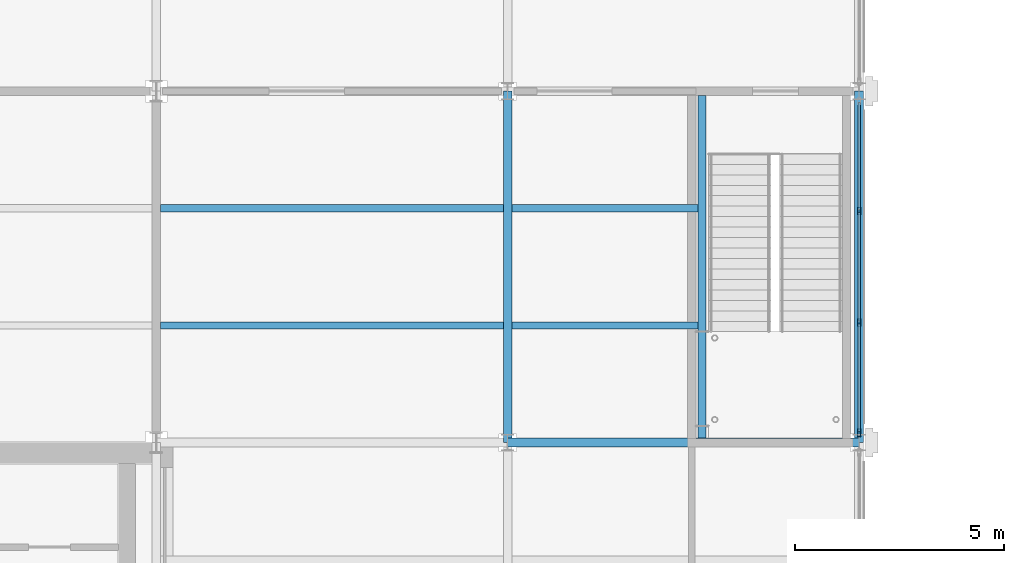
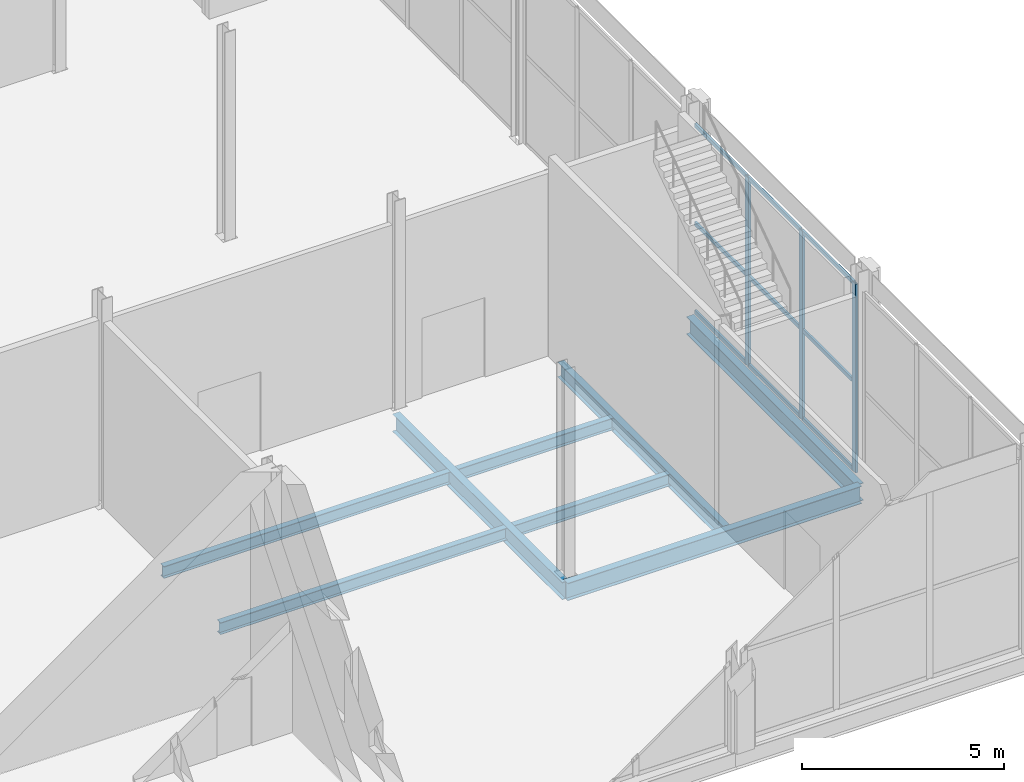
# One storey, part 32 of 77: 12 members, 8 beams, 1 element without a shape of its own.
"""IFC4 building model written with IfcOpenShell, lengths in metres."""

from ifc_helpers import new_model, si_unit, direction, frame, origin, origin_2d, place, context, subcontext, project, spatial, hollow_rectangle, i_section, extrude, material, material_profile, profile_set, type_object, element, aggregate, save


model = new_model("IFC4")

# Units and contexts
model_context = context("Model", 3, precision=1e-05, world=origin(), true_north=direction((0.0, 1.0)))
body_context = subcontext(model_context, "Body", "Model", "MODEL_VIEW")
ifc_project = project(units=[si_unit("LENGTHUNIT", "METRE"), si_unit("AREAUNIT", "SQUARE_METRE"), si_unit("VOLUMEUNIT", "CUBIC_METRE"), si_unit("PLANEANGLEUNIT", "RADIAN"), si_unit("MASSUNIT", "GRAM", prefix="KILO")], contexts=[model_context])

# Site, building, storey
site_placement = place(None, origin())
site = spatial("IfcSite", under=ifc_project, at=site_placement, CompositionType="ELEMENT")
building_placement = place(site_placement, origin())
building = spatial("IfcBuilding", under=site, at=building_placement, Name="Catenary Quay Ferry Terminal", CompositionType="ELEMENT")
storey_placement = place(building_placement, frame((0.0, 0.0, 10.800048828125)))
storey = spatial("IfcBuildingStorey", under=building, at=storey_placement, Name="L02", CompositionType="ELEMENT", Elevation=10.800048828125)

# Beams
ifc_material_1 = material(Name="Steel S355", Category="steel")
ifc_material_profile_1 = material_profile(ifc_material_1, i_section(OverallWidth=0.18994140625, OverallDepth=0.453369140625, WebThickness=0.008544921875, FlangeThickness=0.0126953125, at=origin_2d()), Name="UB 457x191x67")
ifc_profile_set_1 = profile_set([ifc_material_profile_1], Name="Steel S355")
beam_type_1 = type_object("IfcBeamType", Name="B1 UB 457x191x67", PredefinedType="BEAM", material=ifc_profile_set_1)
beam_1_placement = place(storey_placement, frame((63.449951171875, 168.10400390625, -0.47705078125), z_axis=(0.0, 1.0, 0.0), x_axis=(-1.0, 0.0, 0.0)))
element("IfcBeam", 1, at=beam_1_placement, inside=storey, type_object=beam_type_1, Name="Beam B1-001", PredefinedType="BEAM", context=body_context, shape_type="SweptSolid", body=[
    extrude(i_section(OverallWidth=0.18994140625, OverallDepth=0.453369140625, WebThickness=0.008544921875, FlangeThickness=0.0126953125, at=origin_2d()), origin(), (0.0, 0.0, 1.0), 8.19189453125),
])
ifc_material_2 = material(Name="Steel S355", Category="steel")
ifc_material_profile_2 = material_profile(ifc_material_2, i_section(OverallWidth=0.208740234375, OverallDepth=0.5283203125, WebThickness=0.009521484375, FlangeThickness=0.01318359375, at=origin_2d()), Name="UB 533x210x82")
ifc_profile_set_2 = profile_set([ifc_material_profile_2], Name="Steel S355")
beam_type_2 = type_object("IfcBeamType", Name="B5 UB 533x210x82", PredefinedType="BEAM", material=ifc_profile_set_2)
for number, where, z_axis, x_axis, name in (
    (2, (58.800048828125, 168.0, -0.51416015625), (1.0, 0.0, 0.0), (0.0, 1.0, 0.0), "Beam B5-004"),
    (3, (58.800048828125, 168.0, -0.51416015625), (0.0, 1.0, 0.0), (-1.0, 0.0, 0.0), "Beam B5-039"),
    (4, (67.199951171875, 168.0, -0.51416015625), (0.0, 1.0, 0.0), (-1.0, 0.0, 0.0), "Beam B5-045"),
):
    element("IfcBeam", number, at=place(storey_placement, frame(where, z_axis=z_axis, x_axis=x_axis)), inside=storey, type_object=beam_type_2, Name=name, PredefinedType="BEAM", context=body_context, shape_type="SweptSolid", body=[
        extrude(i_section(OverallWidth=0.208740234375, OverallDepth=0.5283203125, WebThickness=0.009521484375, FlangeThickness=0.01318359375, at=origin_2d()), origin(), (0.0, 0.0, 1.0), 8.39990234375),
    ])
ifc_material_3 = material(Name="Steel S355", Category="steel")
ifc_material_profile_3 = material_profile(ifc_material_3, i_section(OverallWidth=0.169921875, OverallDepth=0.360107421875, WebThickness=0.008056640625, FlangeThickness=0.0126953125, at=origin_2d()), Name="IPE 360")
ifc_profile_set_3 = profile_set([ifc_material_profile_3], Name="Steel S355")
beam_type_3 = type_object("IfcBeamType", Name="B7 IPE 360", PredefinedType="BEAM", material=ifc_profile_set_3)
beam_2_placement = place(storey_placement, frame((50.50390625, 170.800048828125, -0.429931640625), z_axis=(1.0, 0.0, 0.0), x_axis=(0.0, 1.0, 0.0)))
element("IfcBeam", 5, at=beam_2_placement, inside=storey, type_object=beam_type_3, Name="Beam B7-008", PredefinedType="BEAM", context=body_context, shape_type="SweptSolid", body=[
    extrude(i_section(OverallWidth=0.169921875, OverallDepth=0.360107421875, WebThickness=0.008056640625, FlangeThickness=0.0126953125, at=origin_2d()), origin(), (0.0, 0.0, 1.0), 8.192138671875),
])
beam_3_placement = place(storey_placement, frame((58.904052734375, 170.800048828125, -0.429931640625), z_axis=(1.0, 0.0, 0.0), x_axis=(0.0, 1.0, 0.0)))
element("IfcBeam", 6, at=beam_3_placement, inside=storey, type_object=beam_type_3, Name="Beam B7-009", PredefinedType="BEAM", context=body_context, shape_type="SweptSolid", body=[
    extrude(i_section(OverallWidth=0.169921875, OverallDepth=0.360107421875, WebThickness=0.008056640625, FlangeThickness=0.0126953125, at=origin_2d()), origin(), (0.0, 0.0, 1.0), 4.450927734375),
])
beam_4_placement = place(storey_placement, frame((50.50390625, 173.60009765625, -0.429931640625), z_axis=(1.0, 0.0, 0.0), x_axis=(0.0, 1.0, 0.0)))
element("IfcBeam", 7, at=beam_4_placement, inside=storey, type_object=beam_type_3, Name="Beam B7-013", PredefinedType="BEAM", context=body_context, shape_type="SweptSolid", body=[
    extrude(i_section(OverallWidth=0.169921875, OverallDepth=0.360107421875, WebThickness=0.008056640625, FlangeThickness=0.0126953125, at=origin_2d()), origin(), (0.0, 0.0, 1.0), 8.192138671875),
])
beam_5_placement = place(storey_placement, frame((58.904052734375, 173.60009765625, -0.429931640625), z_axis=(1.0, 0.0, 0.0), x_axis=(0.0, 1.0, 0.0)))
element("IfcBeam", 8, at=beam_5_placement, inside=storey, type_object=beam_type_3, Name="Beam B7-014", PredefinedType="BEAM", context=body_context, shape_type="SweptSolid", body=[
    extrude(i_section(OverallWidth=0.169921875, OverallDepth=0.360107421875, WebThickness=0.008056640625, FlangeThickness=0.0126953125, at=origin_2d()), origin(), (0.0, 0.0, 1.0), 4.450927734375),
])

# Curtain wall, members
ifc_material_4 = material(Name="Aluminium and glass", Category="aluminium")
curtain_wall_type = type_object("IfcCurtainWallType", Name="CWW2", PredefinedType="NOTDEFINED", material=ifc_material_4)
curtain_wall_placement = place(storey_placement, origin())
curtain_wall = element("IfcCurtainWall", 9, at=curtain_wall_placement, inside=storey, type_object=curtain_wall_type, Name="Wing curtain wall CW131", PredefinedType="NOTDEFINED")
ifc_material_5 = material(Name="Aluminium", Category="aluminium")
ifc_material_profile_4 = material_profile(ifc_material_5, hollow_rectangle(XDim=0.070068359375, YDim=0.179931640625, WallThickness=0.006103515625, at=origin_2d()), Name="MU3")
ifc_profile_set_4 = profile_set([ifc_material_profile_4], Name="Aluminium")
member_type_1 = type_object("IfcMemberType", Name="MU3", PredefinedType="MULLION", material=ifc_profile_set_4)
member_1_placement = place(storey_placement, frame((67.199951171875, 168.235107421875, 0.0), z_axis=(0.0, 0.0, 1.0), x_axis=(-1.0, 0.0, 0.0)))
member_1 = element("IfcMember", 10, at=member_1_placement, type_object=member_type_1, Name="CW131 mullion 1", PredefinedType="MULLION", context=body_context, shape_type="SweptSolid", body=[
    extrude(hollow_rectangle(XDim=0.070068359375, YDim=0.179931640625, WallThickness=0.006103515625, at=origin_2d()), origin(), (0.0, 0.0, 1.0), 5.699951171875),
])
member_2_placement = place(storey_placement, frame((67.199951171875, 170.86669921875, 0.0), z_axis=(0.0, 0.0, 1.0), x_axis=(-1.0, 0.0, 0.0)))
member_2 = element("IfcMember", 11, at=member_2_placement, type_object=member_type_1, Name="CW131 mullion 2", PredefinedType="MULLION", context=body_context, shape_type="SweptSolid", body=[
    extrude(hollow_rectangle(XDim=0.070068359375, YDim=0.179931640625, WallThickness=0.006103515625, at=origin_2d()), origin(), (0.0, 0.0, 1.0), 5.699951171875),
])
member_3_placement = place(storey_placement, frame((67.199951171875, 173.533447265625, 0.0), z_axis=(0.0, 0.0, 1.0), x_axis=(-1.0, 0.0, 0.0)))
member_3 = element("IfcMember", 12, at=member_3_placement, type_object=member_type_1, Name="CW131 mullion 3", PredefinedType="MULLION", context=body_context, shape_type="SweptSolid", body=[
    extrude(hollow_rectangle(XDim=0.070068359375, YDim=0.179931640625, WallThickness=0.006103515625, at=origin_2d()), origin(), (0.0, 0.0, 1.0), 5.699951171875),
])
ifc_material_6 = material(Name="Aluminium", Category="aluminium")
ifc_material_profile_5 = material_profile(ifc_material_6, hollow_rectangle(XDim=0.06005859375, YDim=0.1201171875, WallThickness=0.0048828125, at=origin_2d()), Name="TR3")
ifc_profile_set_5 = profile_set([ifc_material_profile_5], Name="Aluminium")
member_type_2 = type_object("IfcMemberType", Name="TR3", PredefinedType="USERDEFINED", material=ifc_profile_set_5)
member_4_placement = place(storey_placement, frame((67.199951171875, 168.27001953125, 0.030029296875), z_axis=(0.0, 1.0, 0.0), x_axis=(-1.0, 0.0, 0.0)))
member_4 = element("IfcMember", 13, at=member_4_placement, type_object=member_type_2, Name="CW131 transom 1.1", ObjectType="TRANSOM", PredefinedType="USERDEFINED", context=body_context, shape_type="SweptSolid", body=[
    extrude(hollow_rectangle(XDim=0.06005859375, YDim=0.1201171875, WallThickness=0.0048828125, at=origin_2d()), origin(), (0.0, 0.0, 1.0), 2.561767578125),
])
member_5_placement = place(storey_placement, frame((67.199951171875, 168.27001953125, 2.699951171875), z_axis=(0.0, 1.0, 0.0), x_axis=(-1.0, 0.0, 0.0)))
member_5 = element("IfcMember", 14, at=member_5_placement, type_object=member_type_2, Name="CW131 transom 1.2", ObjectType="TRANSOM", PredefinedType="USERDEFINED", context=body_context, shape_type="SweptSolid", body=[
    extrude(hollow_rectangle(XDim=0.06005859375, YDim=0.1201171875, WallThickness=0.0048828125, at=origin_2d()), origin(), (0.0, 0.0, 1.0), 2.561767578125),
])
member_6_placement = place(storey_placement, frame((67.199951171875, 168.27001953125, 5.669921875), z_axis=(0.0, 1.0, 0.0), x_axis=(-1.0, 0.0, 0.0)))
member_6 = element("IfcMember", 15, at=member_6_placement, type_object=member_type_2, Name="CW131 transom 1.3", ObjectType="TRANSOM", PredefinedType="USERDEFINED", context=body_context, shape_type="SweptSolid", body=[
    extrude(hollow_rectangle(XDim=0.06005859375, YDim=0.1201171875, WallThickness=0.0048828125, at=origin_2d()), origin(), (0.0, 0.0, 1.0), 2.561767578125),
])
member_7_placement = place(storey_placement, frame((67.199951171875, 170.901611328125, 0.030029296875), z_axis=(0.0, 1.0, 0.0), x_axis=(-1.0, 0.0, 0.0)))
member_7 = element("IfcMember", 16, at=member_7_placement, type_object=member_type_2, Name="CW131 transom 2.1", ObjectType="TRANSOM", PredefinedType="USERDEFINED", context=body_context, shape_type="SweptSolid", body=[
    extrude(hollow_rectangle(XDim=0.06005859375, YDim=0.1201171875, WallThickness=0.0048828125, at=origin_2d()), origin(), (0.0, 0.0, 1.0), 2.5966796875),
])
member_8_placement = place(storey_placement, frame((67.199951171875, 170.901611328125, 2.699951171875), z_axis=(0.0, 1.0, 0.0), x_axis=(-1.0, 0.0, 0.0)))
member_8 = element("IfcMember", 17, at=member_8_placement, type_object=member_type_2, Name="CW131 transom 2.2", ObjectType="TRANSOM", PredefinedType="USERDEFINED", context=body_context, shape_type="SweptSolid", body=[
    extrude(hollow_rectangle(XDim=0.06005859375, YDim=0.1201171875, WallThickness=0.0048828125, at=origin_2d()), origin(), (0.0, 0.0, 1.0), 2.5966796875),
])
member_9_placement = place(storey_placement, frame((67.199951171875, 170.901611328125, 5.669921875), z_axis=(0.0, 1.0, 0.0), x_axis=(-1.0, 0.0, 0.0)))
member_9 = element("IfcMember", 18, at=member_9_placement, type_object=member_type_2, Name="CW131 transom 2.3", ObjectType="TRANSOM", PredefinedType="USERDEFINED", context=body_context, shape_type="SweptSolid", body=[
    extrude(hollow_rectangle(XDim=0.06005859375, YDim=0.1201171875, WallThickness=0.0048828125, at=origin_2d()), origin(), (0.0, 0.0, 1.0), 2.5966796875),
])
member_10_placement = place(storey_placement, frame((67.199951171875, 173.568359375, 0.030029296875), z_axis=(0.0, 1.0, 0.0), x_axis=(-1.0, 0.0, 0.0)))
member_10 = element("IfcMember", 19, at=member_10_placement, type_object=member_type_2, Name="CW131 transom 3.1", ObjectType="TRANSOM", PredefinedType="USERDEFINED", context=body_context, shape_type="SweptSolid", body=[
    extrude(hollow_rectangle(XDim=0.06005859375, YDim=0.1201171875, WallThickness=0.0048828125, at=origin_2d()), origin(), (0.0, 0.0, 1.0), 2.5615234375),
])
member_11_placement = place(storey_placement, frame((67.199951171875, 173.568359375, 2.699951171875), z_axis=(0.0, 1.0, 0.0), x_axis=(-1.0, 0.0, 0.0)))
member_11 = element("IfcMember", 20, at=member_11_placement, type_object=member_type_2, Name="CW131 transom 3.2", ObjectType="TRANSOM", PredefinedType="USERDEFINED", context=body_context, shape_type="SweptSolid", body=[
    extrude(hollow_rectangle(XDim=0.06005859375, YDim=0.1201171875, WallThickness=0.0048828125, at=origin_2d()), origin(), (0.0, 0.0, 1.0), 2.5615234375),
])
member_12_placement = place(storey_placement, frame((67.199951171875, 173.568359375, 5.669921875), z_axis=(0.0, 1.0, 0.0), x_axis=(-1.0, 0.0, 0.0)))
member_12 = element("IfcMember", 21, at=member_12_placement, type_object=member_type_2, Name="CW131 transom 3.3", ObjectType="TRANSOM", PredefinedType="USERDEFINED", context=body_context, shape_type="SweptSolid", body=[
    extrude(hollow_rectangle(XDim=0.06005859375, YDim=0.1201171875, WallThickness=0.0048828125, at=origin_2d()), origin(), (0.0, 0.0, 1.0), 2.5615234375),
])
aggregate(curtain_wall, [member_1, member_2, member_3, member_4, member_5, member_6, member_7, member_8, member_9, member_10, member_11, member_12])

save(model, "model.ifc")
